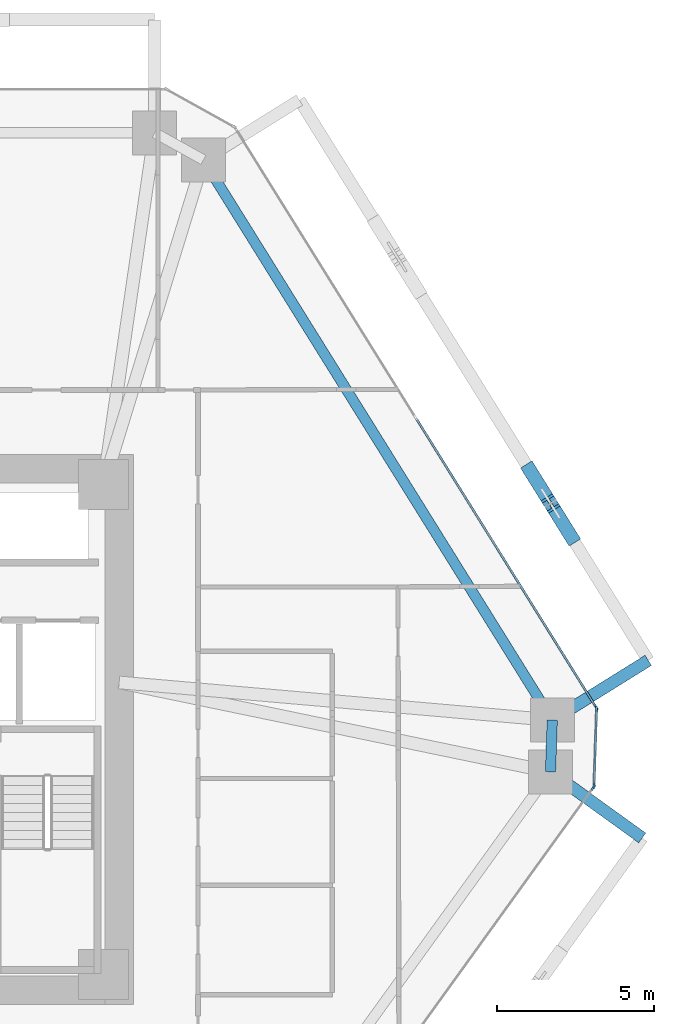
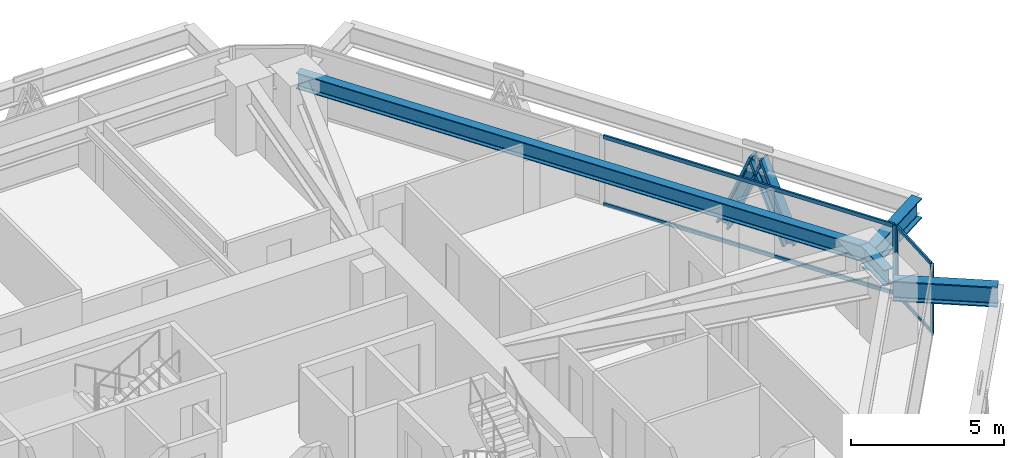
# One storey, part 6 of 18: 10 members, 4 beams, 3 elements without a shape of their own.
"""IFC4 building model written with IfcOpenShell, lengths in metres."""

import ifcopenshell
import ifcopenshell.guid

model = None  # the IFC model being written
_history = None  # IfcOwnerHistory: only IFC2X3 demands one
_inside = {}  # id of a spatial element -> (the spatial element, [elements in it])
_under = {}  # id of a project, library or spatial element -> (it, [spatial elements below it])
_declared = {}  # id of a project -> (the project, [libraries it declares])
_typed = {}  # id of a type object -> (the type object, [elements of that type])
_made_of = {}  # id of a material, layer set ... -> (it, [elements and type objects made of it])


def new_model(schema):
    """Start an empty IFC model of exactly this schema.

    Asked for "IFC4X3", IfcOpenShell would pick the latest addendum, in which some entities
    have other attributes; the version numbers below select the first issue.
    IFC2X3 requires an IfcOwnerHistory on every rooted entity: one is made here for all.
    """
    global model, _history
    if schema == "IFC4X3":
        model = ifcopenshell.file(schema_version=(4, 3, 0, 0))
    else:
        model = ifcopenshell.file(schema=schema)
    _inside.clear()
    _under.clear()
    _declared.clear()
    _typed.clear()
    _made_of.clear()
    _history = None
    if model.schema == "IFC2X3":
        org = make("IfcOrganization", Name="unknown")
        user = make(
            "IfcPersonAndOrganization",
            ThePerson=make("IfcPerson", FamilyName="unknown"),
            TheOrganization=org,
        )
        app = make(
            "IfcApplication",
            ApplicationDeveloper=org,
            Version="unknown",
            ApplicationFullName="unknown",
            ApplicationIdentifier="unknown",
        )
        _history = make(
            "IfcOwnerHistory",
            OwningUser=user,
            OwningApplication=app,
            ChangeAction="ADDED",
            CreationDate=0,
        )
    return model


def make(cls, **values):
    """One entity of the class cls with the attributes given. An attribute that is None is left unset."""
    return model.create_entity(
        cls, **{name: value for name, value in values.items() if value is not None}
    )


def rooted(cls, **values):
    """An entity with a GlobalId (a new one), such as an element, a storey or a relation."""
    return make(cls, GlobalId=ifcopenshell.guid.new(), OwnerHistory=_history, **values)


def si_unit(unit_type, name, prefix=None):
    """IfcSIUnit, for example si_unit("LENGTHUNIT", "METRE", prefix="MILLI")."""
    return make("IfcSIUnit", UnitType=unit_type, Prefix=prefix, Name=name)


def assignment(units):
    """IfcUnitAssignment: the units of a project."""
    return None if units is None else make("IfcUnitAssignment", Units=units)


def point(xyz):
    """IfcCartesianPoint."""
    return None if xyz is None else make("IfcCartesianPoint", Coordinates=xyz)


def direction(xyz):
    """IfcDirection."""
    return None if xyz is None else make("IfcDirection", DirectionRatios=xyz)


def frame(location, z_axis=None, x_axis=None):
    """IfcAxis2Placement3D, a coordinate frame: its origin and axes. An axis left out is left unset."""
    return make(
        "IfcAxis2Placement3D",
        Location=point(location),
        Axis=direction(z_axis),
        RefDirection=direction(x_axis),
    )


def frame_2d(location, x_axis=None):
    """IfcAxis2Placement2D, a coordinate frame in the plane: its origin and x axis."""
    return make(
        "IfcAxis2Placement2D", Location=point(location), RefDirection=direction(x_axis)
    )


def origin():
    """The frame at (0, 0, 0) with its axes left unset."""
    return frame((0.0, 0.0, 0.0))


def origin_2d():
    """The frame at (0, 0) in the plane with its x axis left unset."""
    return frame_2d((0.0, 0.0))


def place(relative_to, where):
    """IfcLocalPlacement: puts the frame where relative to a parent placement (None: the world)."""
    return make(
        "IfcLocalPlacement", PlacementRelTo=relative_to, RelativePlacement=where
    )


def context(
    kind, dimensions, precision=None, world=None, true_north=None, identifier=None
):
    """IfcGeometricRepresentationContext, for example the 3D "Model" context."""
    return make(
        "IfcGeometricRepresentationContext",
        ContextIdentifier=identifier,
        ContextType=kind,
        CoordinateSpaceDimension=dimensions,
        Precision=precision,
        WorldCoordinateSystem=world,
        TrueNorth=true_north,
    )


def subcontext(parent, identifier, kind, view, scale=None):
    """IfcGeometricRepresentationSubContext, for example "Body" below "Model"."""
    return make(
        "IfcGeometricRepresentationSubContext",
        ContextIdentifier=identifier,
        ContextType=kind,
        ParentContext=parent,
        TargetScale=scale,
        TargetView=view,
    )


def project(units=None, contexts=None):
    """IfcProject with its units and contexts."""
    return rooted(
        "IfcProject",
        Name="project",
        RepresentationContexts=contexts,
        UnitsInContext=assignment(units),
    )


def spatial(cls, under=None, at=None, **own):
    """A site, building, storey or space (cls), placed at a placement, below another one or the project."""
    s = rooted(cls, ObjectPlacement=at, **own)
    if under is not None:
        _under.setdefault(under.id(), (under, []))[1].append(s)
    return s


def profile(cls, at=None, kind="AREA", **sizes):
    """A parametric profile (cls). Its sizes go by their IFC names, for example OverallWidth=200.0."""
    return make(cls, ProfileType=kind, Position=at, **sizes)


def rectangle(**sizes):
    """IfcRectangleProfileDef."""
    return profile("IfcRectangleProfileDef", **sizes)


def i_section(**sizes):
    """IfcIShapeProfileDef."""
    return profile("IfcIShapeProfileDef", **sizes)


def extrude(swept, where, along, depth):
    """IfcExtrudedAreaSolid: the profile swept, set in the frame where, extruded along a direction by depth."""
    return make(
        "IfcExtrudedAreaSolid",
        SweptArea=swept,
        Position=where,
        ExtrudedDirection=direction(along),
        Depth=depth,
    )


def shape(context_of_items, identifier, shape_type, items):
    """IfcShapeRepresentation: the items that make up one representation, for example the "Body"."""
    return make(
        "IfcShapeRepresentation",
        ContextOfItems=context_of_items,
        RepresentationIdentifier=identifier,
        RepresentationType=shape_type,
        Items=items,
    )


def source(mapping_origin, context_of_items, identifier, shape_type, items):
    """IfcRepresentationMap: a shape defined once, which mapped items show again and again."""
    return make(
        "IfcRepresentationMap",
        MappingOrigin=mapping_origin,
        MappedRepresentation=shape(context_of_items, identifier, shape_type, items),
    )


def transform(
    local_origin,
    x_axis=None,
    y_axis=None,
    z_axis=None,
    scale=None,
    scale2=None,
    scale3=None,
    uniform=True,
):
    """IfcCartesianTransformationOperator3D, or its non-uniform kind. x_axis, y_axis, z_axis: its Axis1, 2, 3."""
    if uniform:
        return make(
            "IfcCartesianTransformationOperator3D",
            Axis1=direction(x_axis),
            Axis2=direction(y_axis),
            LocalOrigin=point(local_origin),
            Scale=scale,
            Axis3=direction(z_axis),
        )
    return make(
        "IfcCartesianTransformationOperator3DnonUniform",
        Axis1=direction(x_axis),
        Axis2=direction(y_axis),
        LocalOrigin=point(local_origin),
        Scale=scale,
        Axis3=direction(z_axis),
        Scale2=scale2,
        Scale3=scale3,
    )


def mapped(mapping_source, mapping_target):
    """IfcMappedItem: shows the shape of a source again, moved by a transform."""
    return make(
        "IfcMappedItem", MappingSource=mapping_source, MappingTarget=mapping_target
    )


def material(Name=None, Category=None):
    """IfcMaterial."""
    return make("IfcMaterial", Name=Name, Category=Category)


def layer(
    of_material, thickness, ventilated=None, Name=None, Category=None, Priority=None
):
    """IfcMaterialLayer: one layer of a wall or slab, of a material (None: an air gap)."""
    return make(
        "IfcMaterialLayer",
        Material=of_material,
        LayerThickness=thickness,
        IsVentilated=ventilated,
        Name=Name,
        Category=Category,
        Priority=Priority,
    )


def layer_set(layers, Name=None):
    """IfcMaterialLayerSet."""
    return make("IfcMaterialLayerSet", MaterialLayers=layers, LayerSetName=Name)


def material_profile(
    of_material, cross_section, Name=None, Category=None, Priority=None
):
    """IfcMaterialProfile: a cross section and its material."""
    return make(
        "IfcMaterialProfile",
        Name=Name,
        Material=of_material,
        Profile=cross_section,
        Priority=Priority,
        Category=Category,
    )


def profile_set(profiles, Name=None, composite=None):
    """IfcMaterialProfileSet."""
    return make(
        "IfcMaterialProfileSet",
        Name=Name,
        MaterialProfiles=profiles,
        CompositeProfile=composite,
    )


def made_of(thing, what):
    """Note that an element or type object is made of a material, layer set ...; save() writes the relation."""
    if what is not None:
        _made_of.setdefault(what.id(), (what, []))[1].append(thing)
    return thing


def type_object(cls, material=None, **own):
    """A type object (cls), such as IfcWallType, which elements share."""
    return made_of(rooted(cls, **own), material)


def type_shapes(of_type, sources):
    """Give a type object the sources (RepresentationMaps) that its elements show as mapped items."""
    of_type.RepresentationMaps = sources


def element(
    cls,
    number,
    at=None,
    inside=None,
    cuts=None,
    type_object=None,
    material=None,
    context=None,
    identifier="Body",
    shape_type=None,
    held_by="IfcProductDefinitionShape",
    body=None,
    shapes=None,
    **own,
):
    """One element of the class cls, such as IfcWall. Its Tag is "e" and its number.

    at: its placement. inside: the storey or other place that contains it. cuts: it is an
    opening in that element (IfcRelVoidsElement). A single representation is given by context,
    identifier, shape_type and body (its items); several are given by shapes. held_by: the class
    of the entity that holds the representations. save() writes the other relations.
    """
    e = rooted(cls, Tag="e%d" % number, ObjectPlacement=at, **own)
    if body is not None:
        shapes = [shape(context, identifier, shape_type, body)]
    if shapes is not None:
        e.Representation = make(held_by, Representations=shapes)
    if inside is not None:
        _inside.setdefault(inside.id(), (inside, []))[1].append(e)
    if cuts is not None:
        rooted(
            "IfcRelVoidsElement", RelatingBuildingElement=cuts, RelatedOpeningElement=e
        )
    if type_object is not None:
        _typed.setdefault(type_object.id(), (type_object, []))[1].append(e)
    return made_of(e, material)


def aggregate(whole, parts):
    """IfcRelAggregates: a whole, such as a stair, and the parts it consists of."""
    return rooted("IfcRelAggregates", RelatingObject=whole, RelatedObjects=parts)


def save(model, path):
    """Write the relations noted so far, then the file.

    IfcRelAggregates (storeys below a building ...), IfcRelContainedInSpatialStructure (elements
    in a storey), IfcRelDefinesByType, IfcRelAssociatesMaterial and IfcRelDeclares: one each for
    every whole, place, type object, material and project.
    """
    for whole, parts in _under.values():
        aggregate(whole, parts)
    for where, things in _inside.values():
        rooted(
            "IfcRelContainedInSpatialStructure",
            RelatedElements=things,
            RelatingStructure=where,
        )
    for kind, things in _typed.values():
        rooted("IfcRelDefinesByType", RelatedObjects=things, RelatingType=kind)
    for what, things in _made_of.values():
        rooted("IfcRelAssociatesMaterial", RelatedObjects=things, RelatingMaterial=what)
    for by, libraries in _declared.values():
        rooted("IfcRelDeclares", RelatingContext=by, RelatedDefinitions=libraries)
    model.write(path)


model = new_model("IFC4")

# Units and contexts
model_context = context("Model", 3, precision=1e-05, world=origin(), true_north=direction((0.0, 1.0)))
body_context = subcontext(model_context, "Body", "Model", "MODEL_VIEW")
ifc_project = project(units=[si_unit("LENGTHUNIT", "METRE"), si_unit("AREAUNIT", "SQUARE_METRE"), si_unit("VOLUMEUNIT", "CUBIC_METRE"), si_unit("PLANEANGLEUNIT", "RADIAN"), si_unit("MASSUNIT", "GRAM", prefix="KILO")], contexts=[model_context])

# Site, building, storey
site_placement = place(None, origin())
site = spatial("IfcSite", under=ifc_project, at=site_placement, CompositionType="ELEMENT")
building_placement = place(site_placement, origin())
building = spatial("IfcBuilding", under=site, at=building_placement, Name="Durnholm Broadcast Tower", CompositionType="ELEMENT")
storey_placement = place(building_placement, frame((0.0, 0.0, 78.300048828125)))
storey = spatial("IfcBuildingStorey", under=building, at=storey_placement, Name="L20", CompositionType="ELEMENT", Elevation=78.300048828125)

# Beams
ifc_material_1 = material(Name="Steel ASTM A992 Grade 50", Category="steel")
ifc_material_profile_1 = material_profile(ifc_material_1, i_section(OverallWidth=0.3291015625, OverallDepth=0.635009765625, WebThickness=0.017822265625, FlangeThickness=0.031005859375, FilletRadius=0.02783203125, at=origin_2d()), Name="W24X162")
ifc_profile_set_1 = profile_set([ifc_material_profile_1], Name="Steel ASTM A992 Grade 50")
beam_type_1 = type_object("IfcBeamType", Name="STL-SP-W24X162", PredefinedType="SPANDREL", material=ifc_profile_set_1)
shared_shape_1 = source(origin(), body_context, "Body", "SweptSolid", [
    extrude(i_section(OverallWidth=0.3291015625, OverallDepth=0.635009765625, WebThickness=0.017822265625, FlangeThickness=0.031005859375, FilletRadius=0.02783203125, at=origin_2d()), origin(), (0.0, 0.0, 1.0), 21.014404296875),
])
beam_1_placement = place(storey_placement, frame((12.982666015625, 18.138427734375, 2.427490234375), z_axis=(0.528595731543, -0.848873696491, 0.0), x_axis=(0.848873696491, 0.528595731543, 0.0)))
element("IfcBeam", 1, at=beam_1_placement, inside=storey, type_object=beam_type_1, Name="L20 perimeter spandrel girder 07", PredefinedType="SPANDREL", context=body_context, shape_type="MappedRepresentation", body=[
    mapped(shared_shape_1, transform((0.0, 0.0, 0.0), x_axis=(1.0, 0.0, 0.0), y_axis=(0.0, 1.0, 0.0), z_axis=(0.0, 0.0, 1.0), scale=1.0)),
])
shared_shape_2 = source(origin(), body_context, "Body", "SweptSolid", [
    extrude(i_section(OverallWidth=0.3291015625, OverallDepth=0.635009765625, WebThickness=0.017822265625, FlangeThickness=0.031005859375, FilletRadius=0.02783203125, at=origin_2d()), origin(), (0.0, 0.0, 1.0), 1.648193359375),
])
type_shapes(beam_type_1, [shared_shape_1, shared_shape_2])
beam_2_placement = place(storey_placement, frame((24.0908203125, 0.2998046875, 2.427490234375), z_axis=(-0.033921477804, -0.999424501072, 0.0), x_axis=(0.999424501072, -0.033921477804, 0.0)))
element("IfcBeam", 2, at=beam_2_placement, inside=storey, type_object=beam_type_1, Name="L20 perimeter spandrel girder 08", PredefinedType="SPANDREL", context=body_context, shape_type="MappedRepresentation", body=[
    mapped(shared_shape_2, transform((0.0, 0.0, 0.0), x_axis=(1.0, 0.0, 0.0), y_axis=(0.0, 1.0, 0.0), z_axis=(0.0, 0.0, 1.0), scale=1.0)),
])
ifc_material_profile_2 = material_profile(ifc_material_1, i_section(OverallWidth=0.385009765625, OverallDepth=0.802978515625, WebThickness=0.023681640625, FlangeThickness=0.0419921875, FilletRadius=0.032958984375, at=origin_2d()), Name="W30X261")
ifc_profile_set_2 = profile_set([ifc_material_profile_2], Name="Steel ASTM A992 Grade 50")
beam_type_2 = type_object("IfcBeamType", Name="BM-EXO-TIE", PredefinedType="USERDEFINED", material=ifc_profile_set_2)
shared_shape_3 = source(origin(), body_context, "Body", "SweptSolid", [
    extrude(i_section(OverallWidth=0.385009765625, OverallDepth=0.802978515625, WebThickness=0.023681640625, FlangeThickness=0.0419921875, FilletRadius=0.032958984375, at=origin_2d()), origin(), (0.0, 0.0, 1.0), 3.4560546875),
])
beam_3_placement = place(storey_placement, frame((24.212890625, 0.375732421875, 2.008544921875), z_axis=(0.848874183218, 0.528594949906, 0.0), x_axis=(-0.528594949906, 0.848874183218, 0.0)))
element("IfcBeam", 3, at=beam_3_placement, inside=storey, type_object=beam_type_2, Name="L20 exoskeleton stand-off tie bracket F3.1", ObjectType="GIRDER", PredefinedType="USERDEFINED", context=body_context, shape_type="MappedRepresentation", body=[
    mapped(shared_shape_3, transform((0.0, 0.0, 0.0), x_axis=(1.0, 0.0, 0.0), y_axis=(0.0, 1.0, 0.0), z_axis=(0.0, 0.0, 1.0), scale=1.0)),
])
shared_shape_4 = source(origin(), body_context, "Body", "SweptSolid", [
    extrude(i_section(OverallWidth=0.385009765625, OverallDepth=0.802978515625, WebThickness=0.023681640625, FlangeThickness=0.0419921875, FilletRadius=0.032958984375, at=origin_2d()), origin(), (0.0, 0.0, 1.0), 3.455810546875),
])
type_shapes(beam_type_2, [shared_shape_3, shared_shape_4])
beam_4_placement = place(storey_placement, frame((24.15185546875, -1.431396484375, 2.008544921875), z_axis=(0.811133512552, -0.584861030344, 0.0), x_axis=(0.584861030344, 0.811133512552, 0.0)))
element("IfcBeam", 4, at=beam_4_placement, inside=storey, type_object=beam_type_2, Name="L20 exoskeleton stand-off tie bracket F2.2", ObjectType="GIRDER", PredefinedType="USERDEFINED", context=body_context, shape_type="MappedRepresentation", body=[
    mapped(shared_shape_4, transform((0.0, 0.0, 0.0), x_axis=(1.0, 0.0, 0.0), y_axis=(0.0, 1.0, 0.0), z_axis=(0.0, 0.0, 1.0), scale=1.0)),
])

# Members
ifc_material_2 = material(Name="Steel ASTM A913 Grade 65", Category="steel")
ifc_material_profile_3 = material_profile(ifc_material_2, i_section(OverallWidth=0.43212890625, OverallDepth=0.497802734375, WebThickness=0.0556640625, FlangeThickness=0.0888671875, FilletRadius=0.030517578125, at=origin_2d()), Name="W14X500")
ifc_profile_set_3 = profile_set([ifc_material_profile_3], Name="Steel ASTM A913 Grade 65")
member_type_1 = type_object("IfcMemberType", Name="STL-DG-W14X500", PredefinedType="BRACE", material=ifc_profile_set_3)
shared_shape_5 = source(origin(), body_context, "Body", "SweptSolid", [
    extrude(i_section(OverallWidth=0.43212890625, OverallDepth=0.497802734375, WebThickness=0.0556640625, FlangeThickness=0.0888671875, FilletRadius=0.030517578125, at=origin_2d()), origin(), (0.0, 0.0, 1.0), 3.243896484375),
])
type_shapes(member_type_1, [shared_shape_5])
for number, where, z_axis, x_axis, name in (
    (5, (24.688720703125, 6.150146484375, -0.991455078125), (-0.201102088214, 0.322877229954, 0.924828764958), (-0.848819847179, -0.528682198523, 0.0), "L20 stand-off diagrid brace F3.D1.1"),
    (6, (23.38427734375, 8.244873046875, -0.991455078125), (0.201029867597, -0.322882116058, 0.9248427604), (0.848908635391, 0.528539618911, 0.0), "L20 stand-off diagrid brace F3.D1.2"),
):
    element("IfcMember", number, at=place(storey_placement, frame(where, z_axis=z_axis, x_axis=x_axis)), inside=storey, type_object=member_type_1, Name=name, PredefinedType="BRACE", context=body_context, shape_type="MappedRepresentation", body=[
        mapped(shared_shape_5, transform((0.0, 0.0, 0.0), x_axis=(1.0, 0.0, 0.0), y_axis=(0.0, 1.0, 0.0), z_axis=(0.0, 0.0, 1.0), scale=1.0)),
    ])

# Curtain wall, members
ifc_material_3 = material(Name="Aluminium and Solar Control IGU", Category="aluminium")
ifc_layer_1 = layer(ifc_material_3, 0.1650390625)
ifc_layer_set_1 = layer_set([ifc_layer_1], Name="Aluminium and Solar Control IGU")
curtain_wall_type_1 = type_object("IfcCurtainWallType", Name="CW-SYS-5", PredefinedType="NOTDEFINED", material=ifc_layer_set_1)
curtain_wall_1_placement = place(storey_placement, origin())
curtain_wall_1 = element("IfcCurtainWall", 7, at=curtain_wall_1_placement, inside=storey, type_object=curtain_wall_type_1, Name="L20 curtain wall CW-CORNER CW-L20-CRN-07", PredefinedType="NOTDEFINED")
ifc_material_4 = material(Name="Aluminium 6063-T6", Category="aluminium")
ifc_material_profile_4 = material_profile(ifc_material_4, rectangle(XDim=0.06494140625, YDim=0.1298828125, at=origin_2d()), Name="CWT65X130")
ifc_profile_set_4 = profile_set([ifc_material_profile_4], Name="Aluminium 6063-T6")
member_type_2 = type_object("IfcMemberType", Name="CW-SYS-5-TRN", PredefinedType="USERDEFINED", material=ifc_profile_set_4)
shared_shape_6 = source(origin(), body_context, "Body", "SweptSolid", [
    extrude(rectangle(XDim=0.06494140625, YDim=0.1298828125, at=origin_2d()), origin(), (0.0, 0.0, 1.0), 2.3701171875),
])
type_shapes(member_type_2, [shared_shape_6])
member_1_placement = place(storey_placement, frame((25.502197265625, 0.613037109375, 0.032470703125), z_axis=(-0.033788158898, -0.999429017148, 0.0), x_axis=(0.999429017148, -0.033788158898, 0.0)))
member_1 = element("IfcMember", 8, at=member_1_placement, type_object=member_type_2, Name="CW-CORNER transom 1.1", ObjectType="TRANSOM", PredefinedType="USERDEFINED", context=body_context, shape_type="MappedRepresentation", body=[
    mapped(shared_shape_6, transform((0.0, 0.0, 0.0), x_axis=(1.0, 0.0, 0.0), y_axis=(0.0, 1.0, 0.0), z_axis=(0.0, 0.0, 1.0), scale=1.0)),
])
member_2_placement = place(storey_placement, frame((25.502197265625, 0.613037109375, 2.7275390625), z_axis=(-0.033788158898, -0.999429017148, 0.0), x_axis=(0.999429017148, -0.033788158898, 0.0)))
member_2 = element("IfcMember", 9, at=member_2_placement, type_object=member_type_2, Name="CW-CORNER transom 1.2", ObjectType="TRANSOM", PredefinedType="USERDEFINED", context=body_context, shape_type="MappedRepresentation", body=[
    mapped(shared_shape_6, transform((0.0, 0.0, 0.0), x_axis=(1.0, 0.0, 0.0), y_axis=(0.0, 1.0, 0.0), z_axis=(0.0, 0.0, 1.0), scale=1.0)),
])

ifc_layer_2 = layer(ifc_material_3, 0.18994140625)
ifc_layer_set_2 = layer_set([ifc_layer_2], Name="Aluminium and Solar Control IGU")
curtain_wall_type_2 = type_object("IfcCurtainWallType", Name="CW-SYS-3", PredefinedType="NOTDEFINED", material=ifc_layer_set_2)
curtain_wall_2_placement = place(storey_placement, origin())
curtain_wall_2 = element("IfcCurtainWall", 10, at=curtain_wall_2_placement, inside=storey, type_object=curtain_wall_type_2, Name="L20 curtain wall CW-Z12-VIS CW-L20-F06", PredefinedType="NOTDEFINED")
ifc_material_profile_5 = material_profile(ifc_material_4, rectangle(XDim=0.070068359375, YDim=0.14990234375, at=origin_2d()), Name="CWT70X150")
ifc_profile_set_5 = profile_set([ifc_material_profile_5], Name="Aluminium 6063-T6")
member_type_3 = type_object("IfcMemberType", Name="CW-SYS-3-TRN", PredefinedType="USERDEFINED", material=ifc_profile_set_5)
shared_shape_7 = source(origin(), body_context, "Body", "SweptSolid", [
    extrude(rectangle(XDim=0.070068359375, YDim=0.14990234375, at=origin_2d()), origin(), (0.0, 0.0, 1.0), 10.796630859375),
])
type_shapes(member_type_3, [shared_shape_7])
member_3_placement = place(storey_placement, frame((19.760498046875, 9.902587890625, 0.034912109375), z_axis=(0.528575362968, -0.848886379714, 0.0), x_axis=(0.848886379714, 0.528575362968, 0.0)))
member_3 = element("IfcMember", 11, at=member_3_placement, type_object=member_type_3, Name="CW-Z12-VIS transom 2.1", ObjectType="TRANSOM", PredefinedType="USERDEFINED", context=body_context, shape_type="MappedRepresentation", body=[
    mapped(shared_shape_7, transform((0.0, 0.0, 0.0), x_axis=(1.0, 0.0, 0.0), y_axis=(0.0, 1.0, 0.0), z_axis=(0.0, 0.0, 1.0), scale=1.0)),
])
member_4_placement = place(storey_placement, frame((19.760498046875, 9.902587890625, 2.724853515625), z_axis=(0.528575362968, -0.848886379714, 0.0), x_axis=(0.848886379714, 0.528575362968, 0.0)))
member_4 = element("IfcMember", 12, at=member_4_placement, type_object=member_type_3, Name="CW-Z12-VIS transom 2.2", ObjectType="TRANSOM", PredefinedType="USERDEFINED", context=body_context, shape_type="MappedRepresentation", body=[
    mapped(shared_shape_7, transform((0.0, 0.0, 0.0), x_axis=(1.0, 0.0, 0.0), y_axis=(0.0, 1.0, 0.0), z_axis=(0.0, 0.0, 1.0), scale=1.0)),
])

# Member
ifc_material_profile_6 = material_profile(ifc_material_4, rectangle(XDim=0.06494140625, YDim=0.1650390625, at=origin_2d()), Name="CWM65X165")
ifc_profile_set_6 = profile_set([ifc_material_profile_6], Name="Aluminium 6063-T6")
member_type_4 = type_object("IfcMemberType", Name="CW-SYS-5-MUL", PredefinedType="MULLION", material=ifc_profile_set_6)
shared_shape_8 = source(origin(), body_context, "Body", "SweptSolid", [
    extrude(rectangle(XDim=0.06494140625, YDim=0.1650390625, at=origin_2d()), origin(), (0.0, 0.0, 1.0), 2.760009765625),
])
type_shapes(member_type_4, [shared_shape_8])
member_5_placement = place(storey_placement, frame((25.50341796875, 0.6455078125, 0.0), z_axis=(0.0, 0.0, 1.0), x_axis=(0.999427277772, -0.033839569233, 0.0)))
member_5 = element("IfcMember", 13, at=member_5_placement, type_object=member_type_4, Name="CW-CORNER mullion 1", PredefinedType="MULLION", context=body_context, shape_type="MappedRepresentation", body=[
    mapped(shared_shape_8, transform((0.0, 0.0, 0.0), x_axis=(1.0, 0.0, 0.0), y_axis=(0.0, 1.0, 0.0), z_axis=(0.0, 0.0, 1.0), scale=1.0)),
])

member_6_placement = place(storey_placement, frame((25.4208984375, -1.7880859375, 0.0), z_axis=(0.0, 0.0, 1.0), x_axis=(0.999427277772, -0.033839569233, 0.0)))
member_6 = element("IfcMember", 14, at=member_6_placement, type_object=member_type_4, Name="CW-CORNER mullion 2", PredefinedType="MULLION", context=body_context, shape_type="MappedRepresentation", body=[
    mapped(shared_shape_8, transform((0.0, 0.0, 0.0), x_axis=(1.0, 0.0, 0.0), y_axis=(0.0, 1.0, 0.0), z_axis=(0.0, 0.0, 1.0), scale=1.0)),
])

aggregate(curtain_wall_1, [member_5, member_6, member_1, member_2])

ifc_material_profile_7 = material_profile(ifc_material_4, rectangle(XDim=0.070068359375, YDim=0.18994140625, at=origin_2d()), Name="CWM70X190")
ifc_profile_set_7 = profile_set([ifc_material_profile_7], Name="Aluminium 6063-T6")
member_type_5 = type_object("IfcMemberType", Name="CW-SYS-3-MUL", PredefinedType="MULLION", material=ifc_profile_set_7)
shared_shape_9 = source(origin(), body_context, "Body", "SweptSolid", [
    extrude(rectangle(XDim=0.070068359375, YDim=0.18994140625, at=origin_2d()), origin(), (0.0, 0.0, 1.0), 2.760009765625),
])
type_shapes(member_type_5, [shared_shape_9])
member_7_placement = place(storey_placement, frame((25.48583984375, 0.707763671875, 0.0), z_axis=(0.0, 0.0, 1.0), x_axis=(0.848875785503, 0.528592376777, 0.0)))
member_7 = element("IfcMember", 15, at=member_7_placement, type_object=member_type_5, Name="CW-Z12-VIS mullion 3", PredefinedType="MULLION", context=body_context, shape_type="MappedRepresentation", body=[
    mapped(shared_shape_9, transform((0.0, 0.0, 0.0), x_axis=(1.0, 0.0, 0.0), y_axis=(0.0, 1.0, 0.0), z_axis=(0.0, 0.0, 1.0), scale=1.0)),
])

aggregate(curtain_wall_2, [member_7, member_3, member_4])

# Curtain wall, member
curtain_wall_3_placement = place(storey_placement, origin())
curtain_wall_3 = element("IfcCurtainWall", 16, at=curtain_wall_3_placement, inside=storey, type_object=curtain_wall_type_2, Name="L20 curtain wall CW-Z12-VIS CW-L20-F08", PredefinedType="NOTDEFINED")
member_8_placement = place(storey_placement, frame((25.3994140625, -1.848876953125, 0.0), z_axis=(0.0, 0.0, 1.0), x_axis=(0.81116057493, -0.584823496176, 0.0)))
member_8 = element("IfcMember", 17, at=member_8_placement, type_object=member_type_5, Name="CW-Z12-VIS mullion 1", PredefinedType="MULLION", context=body_context, shape_type="MappedRepresentation", body=[
    mapped(shared_shape_9, transform((0.0, 0.0, 0.0), x_axis=(1.0, 0.0, 0.0), y_axis=(0.0, 1.0, 0.0), z_axis=(0.0, 0.0, 1.0), scale=1.0)),
])
aggregate(curtain_wall_3, [member_8])

save(model, "model.ifc")
